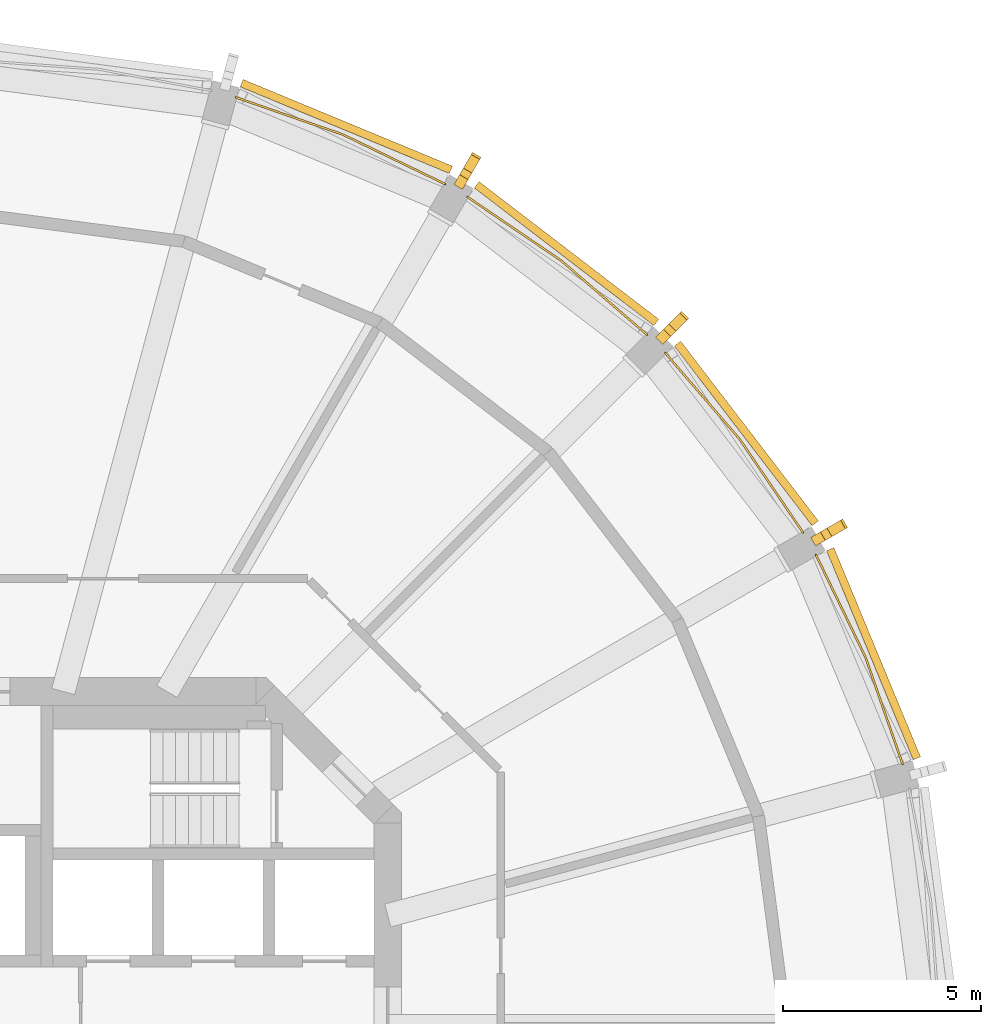
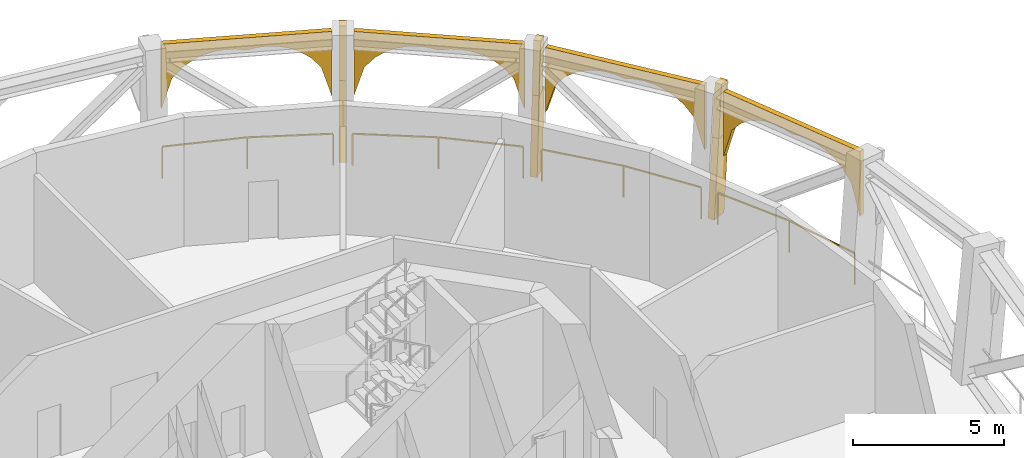
# One storey, part 9 of 9: 10 coverings, 4 railings.
"""IFC4 building model written with IfcOpenShell, lengths in metres."""

from ifc_helpers import new_model, si_unit, direction, frame, origin, origin_2d, place, context, subcontext, project, spatial, polyline, rectangle, outline, extrude, material, layer, layer_set, material_profile, profile_set, type_object, element, save


model = new_model("IFC4")

# Units and contexts
model_context = context("Model", 3, precision=1e-05, world=origin(), true_north=direction((0.0, 1.0)))
body_context = subcontext(model_context, "Body", "Model", "MODEL_VIEW")
ifc_project = project(units=[si_unit("LENGTHUNIT", "METRE"), si_unit("AREAUNIT", "SQUARE_METRE"), si_unit("VOLUMEUNIT", "CUBIC_METRE"), si_unit("PLANEANGLEUNIT", "RADIAN"), si_unit("MASSUNIT", "GRAM", prefix="KILO")], contexts=[model_context])

# Site, building, storey
site_placement = place(None, origin())
site = spatial("IfcSite", under=ifc_project, at=site_placement, CompositionType="ELEMENT")
building_placement = place(site_placement, origin())
building = spatial("IfcBuilding", under=site, at=building_placement, Name="Torre Triforio", CompositionType="ELEMENT")
storey_placement = place(building_placement, frame((0.0, 0.0, 248.300048828125)))
storey = spatial("IfcBuildingStorey", under=building, at=storey_placement, Name="L57", CompositionType="ELEMENT", Elevation=248.300048828125)

# Coverings
ifc_material_1 = material(Name="Limestone arch panel", Category="masonry")
ifc_layer = layer(ifc_material_1, 0.199951171875)
ifc_layer_set = layer_set([ifc_layer], Name="Limestone arch panel")
covering_type_1 = type_object("IfcCoveringType", Name="Lancet arch cladding panel 200", PredefinedType="CLADDING", material=ifc_layer_set)
covering_1_placement = place(storey_placement, frame((22.609619140625, 9.365234375, 0.0), z_axis=(0.923942369466, 0.382531695295, 0.0), x_axis=(-0.382531695295, 0.923942369466, 0.0)))
element("IfcCovering", 1, at=covering_1_placement, inside=storey, type_object=covering_type_1, Name="Lancet arch panel L57 bay 02", PredefinedType="CLADDING", context=body_context, shape_type="SweptSolid", body=[
    extrude(outline(polyline([(-2.8544921875, 5.219970703125), (-2.8544921875, 2.60009765625), (-2.497802734375, 3.805419921875), (-2.140869140625, 4.228271484375), (-1.7841796875, 4.49609375), (-1.42724609375, 4.669921875), (-1.0703125, 4.772216796875), (-0.713623046875, 4.813232421875), (-0.356689453125, 4.79638671875), (0.0, 4.719970703125), (0.356689453125, 4.79638671875), (0.713623046875, 4.813232421875), (1.0703125, 4.772216796875), (1.42724609375, 4.669921875), (1.7841796875, 4.49609375), (2.140869140625, 4.228271484375), (2.497802734375, 3.805419921875), (2.8544921875, 2.60009765625), (2.8544921875, 5.219970703125), (-2.8544921875, 5.219970703125)])), origin(), (0.0, 0.0, 1.0), 0.19970703125),
])
for number, where, z_axis, x_axis, name in (
    (2, (19.415283203125, 14.89794921875, 0.0), (0.793802879778, 0.60817512943, 0.0), (-0.60817512943, 0.793802879778, 0.0), "Lancet arch panel L57 bay 03"),
    (3, (14.89794921875, 19.415283203125, 0.0), (0.60817512943, 0.793802879778, 0.0), (-0.793802879778, 0.60817512943, 0.0), "Lancet arch panel L57 bay 04"),
):
    element("IfcCovering", number, at=place(storey_placement, frame(where, z_axis=z_axis, x_axis=x_axis)), inside=storey, type_object=covering_type_1, Name=name, PredefinedType="CLADDING", context=body_context, shape_type="SweptSolid", body=[
        extrude(outline(polyline([(-2.8544921875, 5.219970703125), (-2.8544921875, 2.60009765625), (-2.497802734375, 3.805419921875), (-2.140869140625, 4.228271484375), (-1.7841796875, 4.49609375), (-1.42724609375, 4.669921875), (-1.0703125, 4.772216796875), (-0.713623046875, 4.813232421875), (-0.356689453125, 4.79638671875), (0.0, 4.719970703125), (0.356689453125, 4.79638671875), (0.713623046875, 4.813232421875), (1.0703125, 4.772216796875), (1.42724609375, 4.669921875), (1.7841796875, 4.49609375), (2.140869140625, 4.228271484375), (2.497802734375, 3.805419921875), (2.8544921875, 2.60009765625), (2.8544921875, 5.219970703125), (-2.8544921875, 5.219970703125)])), origin(), (0.0, 0.0, 1.0), 0.199951171875),
    ])
covering_2_placement = place(storey_placement, frame((9.365234375, 22.609619140625, 0.0), z_axis=(0.382531695295, 0.923942369466, 0.0), x_axis=(-0.923942369466, 0.382531695295, 0.0)))
element("IfcCovering", 4, at=covering_2_placement, inside=storey, type_object=covering_type_1, Name="Lancet arch panel L57 bay 05", PredefinedType="CLADDING", context=body_context, shape_type="SweptSolid", body=[
    extrude(outline(polyline([(-2.8544921875, 5.219970703125), (-2.8544921875, 2.60009765625), (-2.497802734375, 3.805419921875), (-2.140869140625, 4.228271484375), (-1.7841796875, 4.49609375), (-1.42724609375, 4.669921875), (-1.0703125, 4.772216796875), (-0.713623046875, 4.813232421875), (-0.356689453125, 4.79638671875), (0.0, 4.719970703125), (0.356689453125, 4.79638671875), (0.713623046875, 4.813232421875), (1.0703125, 4.772216796875), (1.42724609375, 4.669921875), (1.7841796875, 4.49609375), (2.140869140625, 4.228271484375), (2.497802734375, 3.805419921875), (2.8544921875, 2.60009765625), (2.8544921875, 5.219970703125), (-2.8544921875, 5.219970703125)])), origin(), (0.0, 0.0, 1.0), 0.19970703125),
])

# Railings
ifc_material_2 = material(Name="Stainless steel AISI 316", Category="steel")
railing_type = type_object("IfcRailingType", Name="Loggia guard 1300", PredefinedType="GUARDRAIL", material=ifc_material_2)
railing_1_placement = place(storey_placement, frame((23.4375, 6.611328125, 0.0)))
element("IfcRailing", 5, at=railing_1_placement, inside=storey, type_object=railing_type, Name="Loggia guard L57 bay 02", PredefinedType="GUARDRAIL", context=body_context, shape_type="SweptSolid", body=[
    extrude(rectangle(XDim=0.050048828125, YDim=0.050048828125, at=origin_2d()), frame((0.0, 0.0, 1.27490234375), z_axis=(-0.328315763022, 0.944568028123, 0.0), x_axis=(-0.944568028123, -0.328315763022, 0.0)), (0.0, 0.0, 1.0), 2.865966796875),
    extrude(rectangle(XDim=0.050048828125, YDim=0.050048828125, at=origin_2d()), frame((-0.94091796875, 2.70703125, 1.27490234375), z_axis=(-0.435727917358, 0.900078431046, 0.0), x_axis=(-0.900078431046, -0.435727917358, 0.0)), (0.0, 0.0, 1.0), 2.865966796875),
    extrude(rectangle(XDim=0.0400390625, YDim=0.0400390625, at=origin_2d()), origin(), (0.0, 0.0, 1.0), 1.25),
    extrude(rectangle(XDim=0.0400390625, YDim=0.0400390625, at=origin_2d()), frame((-0.94091796875, 2.70703125, 0.0)), (0.0, 0.0, 1.0), 1.25),
    extrude(rectangle(XDim=0.0400390625, YDim=0.0400390625, at=origin_2d()), frame((-2.189697265625, 5.28662109375, 0.0)), (0.0, 0.0, 1.0), 1.25),
])
railing_2_placement = place(storey_placement, frame((20.927734375, 12.4521484375, 0.0)))
element("IfcRailing", 6, at=railing_2_placement, inside=storey, type_object=railing_type, Name="Loggia guard L57 bay 03", PredefinedType="GUARDRAIL", context=body_context, shape_type="SweptSolid", body=[
    extrude(rectangle(XDim=0.050048828125, YDim=0.050048828125, at=origin_2d()), frame((0.0, 0.0, 1.27490234375), z_axis=(-0.561659735558, 0.827368322727, 0.0), x_axis=(-0.827368322727, -0.561659735558, 0.0)), (0.0, 0.0, 1.0), 2.86572265625),
    extrude(rectangle(XDim=0.050048828125, YDim=0.050048828125, at=origin_2d()), frame((-1.609619140625, 2.37109375, 1.27490234375), z_axis=(-0.653823896404, 0.756646755422, 0.0), x_axis=(-0.756646755422, -0.653823896404, 0.0)), (0.0, 0.0, 1.0), 2.865966796875),
    extrude(rectangle(XDim=0.0400390625, YDim=0.0400390625, at=origin_2d()), origin(), (0.0, 0.0, 1.0), 1.25),
    extrude(rectangle(XDim=0.0400390625, YDim=0.0400390625, at=origin_2d()), frame((-1.609619140625, 2.37109375, 0.0)), (0.0, 0.0, 1.0), 1.25),
    extrude(rectangle(XDim=0.0400390625, YDim=0.0400390625, at=origin_2d()), frame((-3.4833984375, 4.53955078125, 0.0)), (0.0, 0.0, 1.0), 1.25),
])
railing_3_placement = place(storey_placement, frame((16.99169921875, 17.4443359375, 0.0)))
element("IfcRailing", 7, at=railing_3_placement, inside=storey, type_object=railing_type, Name="Loggia guard L57 bay 04", PredefinedType="GUARDRAIL", context=body_context, shape_type="SweptSolid", body=[
    extrude(rectangle(XDim=0.050048828125, YDim=0.050048828125, at=origin_2d()), frame((0.0, 0.0, 1.27490234375), z_axis=(-0.756646755422, 0.653823896404, 0.0), x_axis=(-0.653823896404, -0.756646755422, 0.0)), (0.0, 0.0, 1.0), 2.865966796875),
    extrude(rectangle(XDim=0.050048828125, YDim=0.050048828125, at=origin_2d()), frame((-2.16845703125, 1.873779296875, 1.27490234375), z_axis=(-0.827368322727, 0.561659735558, 0.0), x_axis=(-0.561659735558, -0.827368322727, 0.0)), (0.0, 0.0, 1.0), 2.86572265625),
    extrude(rectangle(XDim=0.0400390625, YDim=0.0400390625, at=origin_2d()), origin(), (0.0, 0.0, 1.0), 1.25),
    extrude(rectangle(XDim=0.0400390625, YDim=0.0400390625, at=origin_2d()), frame((-2.16845703125, 1.873779296875, 0.0)), (0.0, 0.0, 1.0), 1.25),
    extrude(rectangle(XDim=0.0400390625, YDim=0.0400390625, at=origin_2d()), frame((-4.53955078125, 3.4833984375, 0.0)), (0.0, 0.0, 1.0), 1.25),
])
railing_4_placement = place(storey_placement, frame((11.89794921875, 21.247802734375, 0.0)))
element("IfcRailing", 8, at=railing_4_placement, inside=storey, type_object=railing_type, Name="Loggia guard L57 bay 05", PredefinedType="GUARDRAIL", context=body_context, shape_type="SweptSolid", body=[
    extrude(rectangle(XDim=0.050048828125, YDim=0.050048828125, at=origin_2d()), frame((0.0, 0.0, 1.27490234375), z_axis=(-0.900078431046, 0.435727917358, 0.0), x_axis=(-0.435727917358, -0.900078431046, 0.0)), (0.0, 0.0, 1.0), 2.865966796875),
    extrude(rectangle(XDim=0.050048828125, YDim=0.050048828125, at=origin_2d()), frame((-2.57958984375, 1.248779296875, 1.27490234375), z_axis=(-0.944568028123, 0.328315763022, 0.0), x_axis=(-0.328315763022, -0.944568028123, 0.0)), (0.0, 0.0, 1.0), 2.865966796875),
    extrude(rectangle(XDim=0.0400390625, YDim=0.0400390625, at=origin_2d()), origin(), (0.0, 0.0, 1.0), 1.25),
    extrude(rectangle(XDim=0.0400390625, YDim=0.0400390625, at=origin_2d()), frame((-2.57958984375, 1.248779296875, 0.0)), (0.0, 0.0, 1.0), 1.25),
    extrude(rectangle(XDim=0.0400390625, YDim=0.0400390625, at=origin_2d()), frame((-5.28662109375, 2.189697265625, 0.0)), (0.0, 0.0, 1.0), 1.25),
])

# Coverings
ifc_material_3 = material(Name="Limestone fin", Category="masonry")
ifc_material_profile_1 = material_profile(ifc_material_3, rectangle(XDim=0.39990234375, YDim=0.25, at=origin_2d()), Name="FIN 400x250")
ifc_profile_set_1 = profile_set([ifc_material_profile_1], Name="Limestone fin")
covering_type_2 = type_object("IfcCoveringType", Name="Stone fin 400 x 250", PredefinedType="CLADDING", material=ifc_profile_set_1)
for number, where, z_axis, x_axis, name in (
    (9, (21.596435546875, 12.46875, 3.1318359375), (0.078362868393, 0.04529443656, 0.995895413622), (-0.862224714211, -0.49837357181, 0.090511464059), "Stone fin C03 L57 upper"),
    (10, (17.63330078125, 17.63330078125, 3.1318359375), (0.064040651548, 0.064040651548, 0.995890350339), (-0.704200820043, -0.704200820043, 0.090567157962), "Stone fin C04 L57 upper"),
    (11, (12.46875, 21.596435546875, 3.1318359375), (0.04529443656, 0.078362868393, 0.995895413622), (-0.49837357181, -0.862224714211, 0.090511464059), "Stone fin C05 L57 upper"),
):
    element("IfcCovering", number, at=place(storey_placement, frame(where, z_axis=z_axis, x_axis=x_axis)), inside=storey, type_object=covering_type_2, Name=name, PredefinedType="CLADDING", context=body_context, shape_type="SweptSolid", body=[
        extrude(rectangle(XDim=0.39990234375, YDim=0.25, at=origin_2d()), origin(), (0.0, 0.0, 1.0), 2.0966796875),
    ])
ifc_material_profile_2 = material_profile(ifc_material_3, rectangle(XDim=0.64990234375, YDim=0.25, at=origin_2d()), Name="FIN 650x250")
ifc_profile_set_2 = profile_set([ifc_material_profile_2], Name="Limestone fin")
covering_type_3 = type_object("IfcCoveringType", Name="Stone fin 650 x 250", PredefinedType="CLADDING", material=ifc_profile_set_2)
for number, where, z_axis, x_axis, name in (
    (12, (21.45849609375, 12.38916015625, 0.0), (0.078410672853, 0.045260814132, 0.995893179556), (-0.862514557915, -0.497867314123, 0.090536042066), "Stone fin C03 L57"),
    (13, (17.520751953125, 17.520751953125, 0.0), (0.064048078497, 0.064048078497, 0.995889395105), (-0.70420014459, -0.70420014459, 0.090577661255), "Stone fin C04 L57"),
    (14, (12.38916015625, 21.45849609375, 0.0), (0.045260814132, 0.078410672853, 0.995893179556), (-0.497867314123, -0.862514557915, 0.090536042066), "Stone fin C05 L57"),
):
    element("IfcCovering", number, at=place(storey_placement, frame(where, z_axis=z_axis, x_axis=x_axis)), inside=storey, type_object=covering_type_3, Name=name, PredefinedType="CLADDING", context=body_context, shape_type="SweptSolid", body=[
        extrude(rectangle(XDim=0.64990234375, YDim=0.25, at=origin_2d()), origin(), (0.0, 0.0, 1.0), 3.144775390625),
    ])

save(model, "model.ifc")
